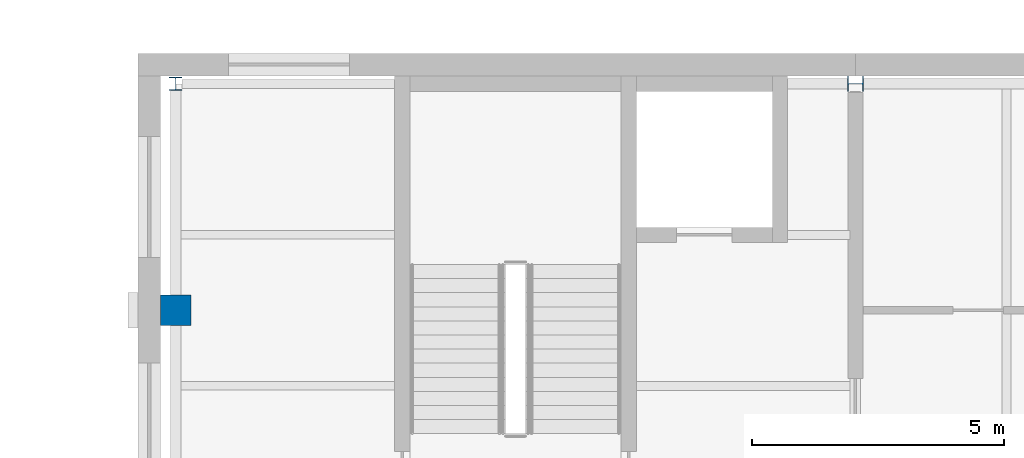
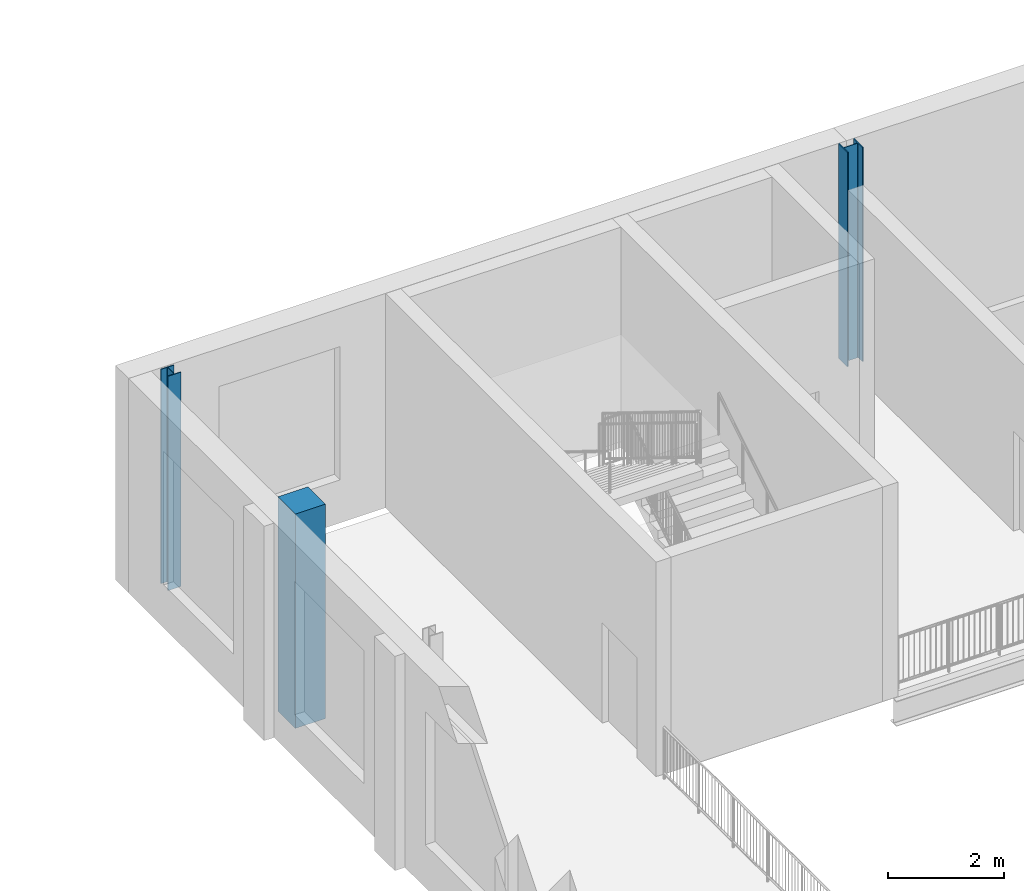
# One storey, part 10 of 74: 3 columns.
"""IFC4 building model written with IfcOpenShell, lengths in metres."""

from ifc_helpers import new_model, si_unit, direction, frame, origin, origin_2d, place, context, subcontext, project, spatial, rectangle, i_section, extrude, material, material_profile, profile_set, type_object, element, save


model = new_model("IFC4")

# Units and contexts
model_context = context("Model", 3, precision=1e-05, world=origin(), true_north=direction((0.0, 1.0)))
body_context = subcontext(model_context, "Body", "Model", "MODEL_VIEW")
ifc_project = project(units=[si_unit("LENGTHUNIT", "METRE"), si_unit("AREAUNIT", "SQUARE_METRE"), si_unit("VOLUMEUNIT", "CUBIC_METRE"), si_unit("PLANEANGLEUNIT", "RADIAN"), si_unit("MASSUNIT", "GRAM", prefix="KILO")], contexts=[model_context])

# Site, building, storey
site_placement = place(None, origin())
site = spatial("IfcSite", under=ifc_project, at=site_placement, CompositionType="ELEMENT")
building_placement = place(site_placement, origin())
building = spatial("IfcBuilding", under=site, at=building_placement, Name="Hortulan Conservatory and Botanical Research Centre", CompositionType="ELEMENT")
storey_placement = place(building_placement, frame((0.0, 0.0, 6.0)))
storey = spatial("IfcBuildingStorey", under=building, at=storey_placement, Name="L01", CompositionType="ELEMENT", Elevation=6.0)

# Columns
ifc_material_1 = material(Name="Steel Grade 300PLUS (AS/NZS 3679.1, 280 MPa minimum yield)", Category="steel")
ifc_material_profile_1 = material_profile(ifc_material_1, i_section(OverallWidth=0.256103515625, OverallDepth=0.260009765625, WebThickness=0.010498046875, FlangeThickness=0.017333984375, FilletRadius=0.013916015625, at=origin_2d()), Name="250UC89.5")
ifc_profile_set_1 = profile_set([ifc_material_profile_1], Name="Steel Grade 300PLUS (AS/NZS 3679.1, 280 MPa minimum yield)")
column_type_1 = type_object("IfcColumnType", Name="Auditorium Column 250UC89.5", PredefinedType="COLUMN", material=ifc_profile_set_1)
column_1_placement = place(storey_placement, frame((76.5, 72.0, 0.0), z_axis=(0.0, 0.0, 1.0), x_axis=(1.0, 0.0, 0.0)))
element("IfcColumn", 1, at=column_1_placement, inside=storey, type_object=column_type_1, Name="250UC89.5 column", PredefinedType="COLUMN", context=body_context, shape_type="SweptSolid", body=[
    extrude(i_section(OverallWidth=0.256103515625, OverallDepth=0.260009765625, WebThickness=0.010498046875, FlangeThickness=0.017333984375, FilletRadius=0.013916015625, at=origin_2d()), origin(), (0.0, 0.0, 1.0), 4.5),
])
ifc_material_profile_2 = material_profile(ifc_material_1, i_section(OverallWidth=0.30908203125, OverallDepth=0.321044921875, WebThickness=0.013916015625, FlangeThickness=0.021728515625, FilletRadius=0.0166015625, at=origin_2d()), Name="310UC137")
ifc_profile_set_2 = profile_set([ifc_material_profile_2], Name="Steel Grade 300PLUS (AS/NZS 3679.1, 280 MPa minimum yield)")
column_type_2 = type_object("IfcColumnType", Name="Auditorium Column 310UC137", PredefinedType="COLUMN", material=ifc_profile_set_2)
column_2_placement = place(storey_placement, frame((90.0, 72.0, 0.0), z_axis=(0.0, 0.0, 1.0), x_axis=(0.0, 1.0, 0.0)))
element("IfcColumn", 2, at=column_2_placement, inside=storey, type_object=column_type_2, Name="310UC137 column", PredefinedType="COLUMN", context=body_context, shape_type="SweptSolid", body=[
    extrude(i_section(OverallWidth=0.30908203125, OverallDepth=0.321044921875, WebThickness=0.013916015625, FlangeThickness=0.021728515625, FilletRadius=0.0166015625, at=origin_2d()), origin(), (0.0, 0.0, 1.0), 4.5),
])
ifc_material_2 = material(Name="Sandstone masonry (25 MPa, AS 3700)", Category="masonry")
ifc_material_profile_3 = material_profile(ifc_material_2, rectangle(XDim=0.60009765625, YDim=0.60009765625, at=origin_2d()), Name="Square pier 600")
ifc_profile_set_3 = profile_set([ifc_material_profile_3], Name="Sandstone masonry (25 MPa, AS 3700)")
column_type_3 = type_object("IfcColumnType", Name="Sandstone Arcade Pier 600x600", PredefinedType="COLUMN", material=ifc_profile_set_3)
column_3_placement = place(storey_placement, frame((76.5, 67.5, 0.0), z_axis=(0.0, 0.0, 1.0), x_axis=(1.0, 0.0, 0.0)))
element("IfcColumn", 3, at=column_3_placement, inside=storey, type_object=column_type_3, Name="Sandstone arcade pier P-76.5-67.5 L01", PredefinedType="COLUMN", context=body_context, shape_type="SweptSolid", body=[
    extrude(rectangle(XDim=0.60009765625, YDim=0.60009765625, at=origin_2d()), origin(), (0.0, 0.0, 1.0), 4.5),
])

save(model, "model.ifc")
